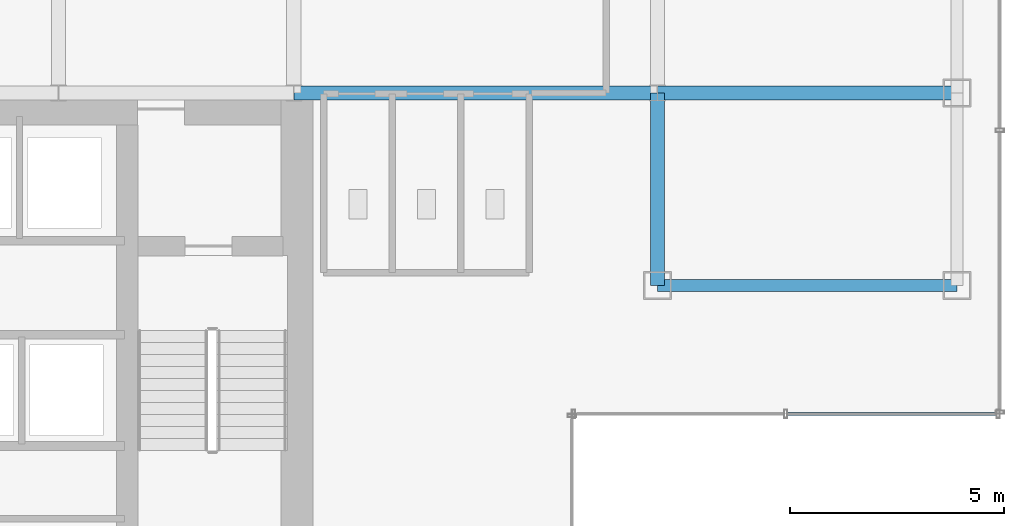
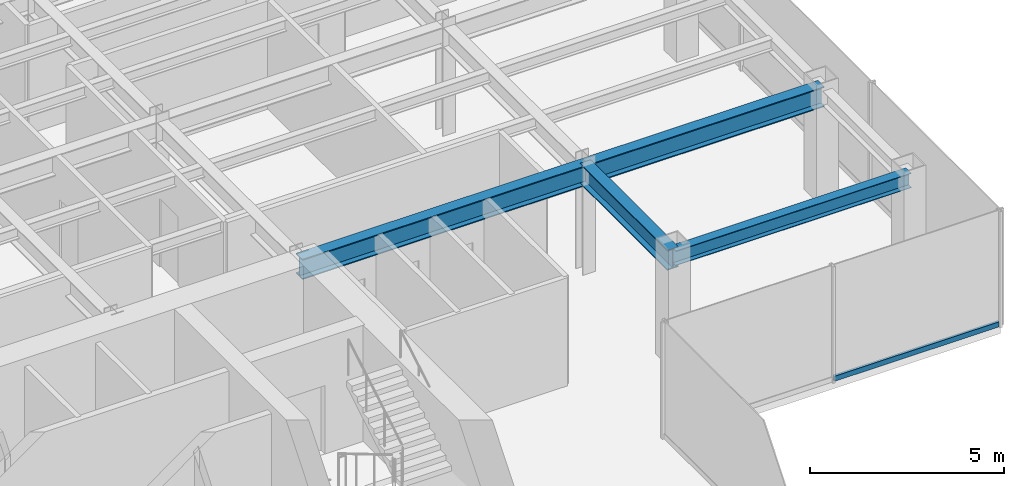
# One storey, part 10 of 25: 4 beams, 1 member, 1 element without a shape of its own.
"""IFC4 building model written with IfcOpenShell, lengths in metres."""

import ifcopenshell
import ifcopenshell.guid

model = None  # the IFC model being written
_history = None  # IfcOwnerHistory: only IFC2X3 demands one
_inside = {}  # id of a spatial element -> (the spatial element, [elements in it])
_under = {}  # id of a project, library or spatial element -> (it, [spatial elements below it])
_declared = {}  # id of a project -> (the project, [libraries it declares])
_typed = {}  # id of a type object -> (the type object, [elements of that type])
_made_of = {}  # id of a material, layer set ... -> (it, [elements and type objects made of it])


def new_model(schema):
    """Start an empty IFC model of exactly this schema.

    Asked for "IFC4X3", IfcOpenShell would pick the latest addendum, in which some entities
    have other attributes; the version numbers below select the first issue.
    IFC2X3 requires an IfcOwnerHistory on every rooted entity: one is made here for all.
    """
    global model, _history
    if schema == "IFC4X3":
        model = ifcopenshell.file(schema_version=(4, 3, 0, 0))
    else:
        model = ifcopenshell.file(schema=schema)
    _inside.clear()
    _under.clear()
    _declared.clear()
    _typed.clear()
    _made_of.clear()
    _history = None
    if model.schema == "IFC2X3":
        org = make("IfcOrganization", Name="unknown")
        user = make(
            "IfcPersonAndOrganization",
            ThePerson=make("IfcPerson", FamilyName="unknown"),
            TheOrganization=org,
        )
        app = make(
            "IfcApplication",
            ApplicationDeveloper=org,
            Version="unknown",
            ApplicationFullName="unknown",
            ApplicationIdentifier="unknown",
        )
        _history = make(
            "IfcOwnerHistory",
            OwningUser=user,
            OwningApplication=app,
            ChangeAction="ADDED",
            CreationDate=0,
        )
    return model


def make(cls, **values):
    """One entity of the class cls with the attributes given. An attribute that is None is left unset."""
    return model.create_entity(
        cls, **{name: value for name, value in values.items() if value is not None}
    )


def rooted(cls, **values):
    """An entity with a GlobalId (a new one), such as an element, a storey or a relation."""
    return make(cls, GlobalId=ifcopenshell.guid.new(), OwnerHistory=_history, **values)


def si_unit(unit_type, name, prefix=None):
    """IfcSIUnit, for example si_unit("LENGTHUNIT", "METRE", prefix="MILLI")."""
    return make("IfcSIUnit", UnitType=unit_type, Prefix=prefix, Name=name)


def derived_unit(unit_type, elements):
    """IfcDerivedUnit: a product of units, each with its exponent."""
    return make(
        "IfcDerivedUnit",
        Elements=[
            make("IfcDerivedUnitElement", Unit=unit, Exponent=power)
            for unit, power in elements
        ],
        UnitType=unit_type,
    )


def assignment(units):
    """IfcUnitAssignment: the units of a project."""
    return None if units is None else make("IfcUnitAssignment", Units=units)


def point(xyz):
    """IfcCartesianPoint."""
    return None if xyz is None else make("IfcCartesianPoint", Coordinates=xyz)


def direction(xyz):
    """IfcDirection."""
    return None if xyz is None else make("IfcDirection", DirectionRatios=xyz)


def frame(location, z_axis=None, x_axis=None):
    """IfcAxis2Placement3D, a coordinate frame: its origin and axes. An axis left out is left unset."""
    return make(
        "IfcAxis2Placement3D",
        Location=point(location),
        Axis=direction(z_axis),
        RefDirection=direction(x_axis),
    )


def frame_2d(location, x_axis=None):
    """IfcAxis2Placement2D, a coordinate frame in the plane: its origin and x axis."""
    return make(
        "IfcAxis2Placement2D", Location=point(location), RefDirection=direction(x_axis)
    )


def origin():
    """The frame at (0, 0, 0) with its axes left unset."""
    return frame((0.0, 0.0, 0.0))


def origin_2d():
    """The frame at (0, 0) in the plane with its x axis left unset."""
    return frame_2d((0.0, 0.0))


def place(relative_to, where):
    """IfcLocalPlacement: puts the frame where relative to a parent placement (None: the world)."""
    return make(
        "IfcLocalPlacement", PlacementRelTo=relative_to, RelativePlacement=where
    )


def context(
    kind, dimensions, precision=None, world=None, true_north=None, identifier=None
):
    """IfcGeometricRepresentationContext, for example the 3D "Model" context."""
    return make(
        "IfcGeometricRepresentationContext",
        ContextIdentifier=identifier,
        ContextType=kind,
        CoordinateSpaceDimension=dimensions,
        Precision=precision,
        WorldCoordinateSystem=world,
        TrueNorth=true_north,
    )


def subcontext(parent, identifier, kind, view, scale=None):
    """IfcGeometricRepresentationSubContext, for example "Body" below "Model"."""
    return make(
        "IfcGeometricRepresentationSubContext",
        ContextIdentifier=identifier,
        ContextType=kind,
        ParentContext=parent,
        TargetScale=scale,
        TargetView=view,
    )


def project(units=None, contexts=None):
    """IfcProject with its units and contexts."""
    return rooted(
        "IfcProject",
        Name="project",
        RepresentationContexts=contexts,
        UnitsInContext=assignment(units),
    )


def spatial(cls, under=None, at=None, **own):
    """A site, building, storey or space (cls), placed at a placement, below another one or the project."""
    s = rooted(cls, ObjectPlacement=at, **own)
    if under is not None:
        _under.setdefault(under.id(), (under, []))[1].append(s)
    return s


def profile(cls, at=None, kind="AREA", **sizes):
    """A parametric profile (cls). Its sizes go by their IFC names, for example OverallWidth=200.0."""
    return make(cls, ProfileType=kind, Position=at, **sizes)


def hollow_rectangle(**sizes):
    """IfcRectangleHollowProfileDef."""
    return profile("IfcRectangleHollowProfileDef", **sizes)


def i_section(**sizes):
    """IfcIShapeProfileDef."""
    return profile("IfcIShapeProfileDef", **sizes)


def extrude(swept, where, along, depth):
    """IfcExtrudedAreaSolid: the profile swept, set in the frame where, extruded along a direction by depth."""
    return make(
        "IfcExtrudedAreaSolid",
        SweptArea=swept,
        Position=where,
        ExtrudedDirection=direction(along),
        Depth=depth,
    )


def shape(context_of_items, identifier, shape_type, items):
    """IfcShapeRepresentation: the items that make up one representation, for example the "Body"."""
    return make(
        "IfcShapeRepresentation",
        ContextOfItems=context_of_items,
        RepresentationIdentifier=identifier,
        RepresentationType=shape_type,
        Items=items,
    )


def source(mapping_origin, context_of_items, identifier, shape_type, items):
    """IfcRepresentationMap: a shape defined once, which mapped items show again and again."""
    return make(
        "IfcRepresentationMap",
        MappingOrigin=mapping_origin,
        MappedRepresentation=shape(context_of_items, identifier, shape_type, items),
    )


def transform(
    local_origin,
    x_axis=None,
    y_axis=None,
    z_axis=None,
    scale=None,
    scale2=None,
    scale3=None,
    uniform=True,
):
    """IfcCartesianTransformationOperator3D, or its non-uniform kind. x_axis, y_axis, z_axis: its Axis1, 2, 3."""
    if uniform:
        return make(
            "IfcCartesianTransformationOperator3D",
            Axis1=direction(x_axis),
            Axis2=direction(y_axis),
            LocalOrigin=point(local_origin),
            Scale=scale,
            Axis3=direction(z_axis),
        )
    return make(
        "IfcCartesianTransformationOperator3DnonUniform",
        Axis1=direction(x_axis),
        Axis2=direction(y_axis),
        LocalOrigin=point(local_origin),
        Scale=scale,
        Axis3=direction(z_axis),
        Scale2=scale2,
        Scale3=scale3,
    )


def mapped(mapping_source, mapping_target):
    """IfcMappedItem: shows the shape of a source again, moved by a transform."""
    return make(
        "IfcMappedItem", MappingSource=mapping_source, MappingTarget=mapping_target
    )


def material(Name=None, Category=None):
    """IfcMaterial."""
    return make("IfcMaterial", Name=Name, Category=Category)


def material_profile(
    of_material, cross_section, Name=None, Category=None, Priority=None
):
    """IfcMaterialProfile: a cross section and its material."""
    return make(
        "IfcMaterialProfile",
        Name=Name,
        Material=of_material,
        Profile=cross_section,
        Priority=Priority,
        Category=Category,
    )


def profile_set(profiles, Name=None, composite=None):
    """IfcMaterialProfileSet."""
    return make(
        "IfcMaterialProfileSet",
        Name=Name,
        MaterialProfiles=profiles,
        CompositeProfile=composite,
    )


def made_of(thing, what):
    """Note that an element or type object is made of a material, layer set ...; save() writes the relation."""
    if what is not None:
        _made_of.setdefault(what.id(), (what, []))[1].append(thing)
    return thing


def type_object(cls, material=None, **own):
    """A type object (cls), such as IfcWallType, which elements share."""
    return made_of(rooted(cls, **own), material)


def element(
    cls,
    number,
    at=None,
    inside=None,
    cuts=None,
    type_object=None,
    material=None,
    context=None,
    identifier="Body",
    shape_type=None,
    held_by="IfcProductDefinitionShape",
    body=None,
    shapes=None,
    **own,
):
    """One element of the class cls, such as IfcWall. Its Tag is "e" and its number.

    at: its placement. inside: the storey or other place that contains it. cuts: it is an
    opening in that element (IfcRelVoidsElement). A single representation is given by context,
    identifier, shape_type and body (its items); several are given by shapes. held_by: the class
    of the entity that holds the representations. save() writes the other relations.
    """
    e = rooted(cls, Tag="e%d" % number, ObjectPlacement=at, **own)
    if body is not None:
        shapes = [shape(context, identifier, shape_type, body)]
    if shapes is not None:
        e.Representation = make(held_by, Representations=shapes)
    if inside is not None:
        _inside.setdefault(inside.id(), (inside, []))[1].append(e)
    if cuts is not None:
        rooted(
            "IfcRelVoidsElement", RelatingBuildingElement=cuts, RelatedOpeningElement=e
        )
    if type_object is not None:
        _typed.setdefault(type_object.id(), (type_object, []))[1].append(e)
    return made_of(e, material)


def aggregate(whole, parts):
    """IfcRelAggregates: a whole, such as a stair, and the parts it consists of."""
    return rooted("IfcRelAggregates", RelatingObject=whole, RelatedObjects=parts)


def save(model, path):
    """Write the relations noted so far, then the file.

    IfcRelAggregates (storeys below a building ...), IfcRelContainedInSpatialStructure (elements
    in a storey), IfcRelDefinesByType, IfcRelAssociatesMaterial and IfcRelDeclares: one each for
    every whole, place, type object, material and project.
    """
    for whole, parts in _under.values():
        aggregate(whole, parts)
    for where, things in _inside.values():
        rooted(
            "IfcRelContainedInSpatialStructure",
            RelatedElements=things,
            RelatingStructure=where,
        )
    for kind, things in _typed.values():
        rooted("IfcRelDefinesByType", RelatedObjects=things, RelatingType=kind)
    for what, things in _made_of.values():
        rooted("IfcRelAssociatesMaterial", RelatedObjects=things, RelatingMaterial=what)
    for by, libraries in _declared.values():
        rooted("IfcRelDeclares", RelatingContext=by, RelatedDefinitions=libraries)
    model.write(path)


model = new_model("IFC4")

# Units and contexts
model_context = context("Model", 3, precision=1e-05, world=origin(), true_north=direction((0.0, 1.0)))
body_context = subcontext(model_context, "Body", "Model", "MODEL_VIEW")
ifc_project = project(units=[si_unit("LENGTHUNIT", "METRE"), si_unit("AREAUNIT", "SQUARE_METRE"), si_unit("VOLUMEUNIT", "CUBIC_METRE"), si_unit("PLANEANGLEUNIT", "RADIAN"), si_unit("MASSUNIT", "GRAM", prefix="KILO"), derived_unit("THERMALTRANSMITTANCEUNIT", [(si_unit("POWERUNIT", "WATT"), 1), (si_unit("LENGTHUNIT", "METRE"), -2), (si_unit("THERMODYNAMICTEMPERATUREUNIT", "KELVIN"), -1)])], contexts=[model_context])

# Site, building, storey
site_placement = place(None, origin())
site = spatial("IfcSite", under=ifc_project, at=site_placement, CompositionType="ELEMENT")
building_placement = place(site_placement, origin())
building = spatial("IfcBuilding", under=site, at=building_placement, Name="Skarnbrae Concourse Arena and Tower", CompositionType="ELEMENT")
storey_placement = place(building_placement, frame((0.0, 0.0, 151.550048828125)))
storey = spatial("IfcBuildingStorey", under=building, at=storey_placement, Name="L38", CompositionType="ELEMENT", Elevation=151.550048828125)

# Beams
ifc_material_1 = material(Name="Steel CSA G40.21 350W", Category="steel")
ifc_material_profile_1 = material_profile(ifc_material_1, i_section(OverallWidth=0.280029296875, OverallDepth=0.462890625, WebThickness=0.0107421875, FlangeThickness=0.017333984375, at=origin_2d()), Name="W460X113")
ifc_profile_set_1 = profile_set([ifc_material_profile_1], Name="Steel CSA G40.21 350W")
beam_type_1 = type_object("IfcBeamType", Name="BM-SPAN-W460X113", PredefinedType="SPANDREL", material=ifc_profile_set_1)
shared_shape_1 = source(origin(), body_context, "Body", "SweptSolid", [
    extrude(i_section(OverallWidth=0.280029296875, OverallDepth=0.462890625, WebThickness=0.0107421875, FlangeThickness=0.017333984375, at=origin_2d()), origin(), (0.0, 0.0, 1.0), 7.0),
])
beam_1_placement = place(storey_placement, frame((42.0, 9.5, 3.16845703125), z_axis=(1.0, 0.0, 0.0), x_axis=(0.0, 1.0, 0.0)))
element("IfcBeam", 1, at=beam_1_placement, inside=storey, type_object=beam_type_1, Name="L38 Perimeter spandrel Y9.5-2", PredefinedType="SPANDREL", context=body_context, shape_type="MappedRepresentation", body=[
    mapped(shared_shape_1, transform((0.0, 0.0, 0.0))),
])
ifc_material_profile_2 = material_profile(ifc_material_1, i_section(OverallWidth=0.3291015625, OverallDepth=0.635009765625, WebThickness=0.017822265625, FlangeThickness=0.031005859375, at=origin_2d()), Name="W610X241")
ifc_profile_set_2 = profile_set([ifc_material_profile_2], Name="Steel CSA G40.21 350W")
beam_type_2 = type_object("IfcBeamType", Name="BM-GIRD-W610X241", PredefinedType="BEAM", material=ifc_profile_set_2)
shared_shape_2 = source(origin(), body_context, "Body", "SweptSolid", [
    extrude(i_section(OverallWidth=0.3291015625, OverallDepth=0.635009765625, WebThickness=0.017822265625, FlangeThickness=0.031005859375, at=origin_2d()), origin(), (0.0, 0.0, 1.0), 8.5),
])
beam_2_placement = place(storey_placement, frame((33.5, 14.0, 3.08251953125), z_axis=(1.0, 0.0, 0.0), x_axis=(0.0, 1.0, 0.0)))
element("IfcBeam", 2, at=beam_2_placement, inside=storey, type_object=beam_type_2, Name="L38 Primary E-W girder Y14.0-6", PredefinedType="BEAM", context=body_context, shape_type="MappedRepresentation", body=[
    mapped(shared_shape_2, transform((0.0, 0.0, 0.0))),
])
shared_shape_3 = source(origin(), body_context, "Body", "SweptSolid", [
    extrude(i_section(OverallWidth=0.3291015625, OverallDepth=0.635009765625, WebThickness=0.017822265625, FlangeThickness=0.031005859375, at=origin_2d()), origin(), (0.0, 0.0, 1.0), 7.0),
])
beam_3_placement = place(storey_placement, frame((42.0, 14.0, 3.08251953125), z_axis=(1.0, 0.0, 0.0), x_axis=(0.0, 1.0, 0.0)))
element("IfcBeam", 3, at=beam_3_placement, inside=storey, type_object=beam_type_2, Name="L38 Primary E-W girder Y14.0-7", PredefinedType="BEAM", context=body_context, shape_type="MappedRepresentation", body=[
    mapped(shared_shape_3, transform((0.0, 0.0, 0.0))),
])
shared_shape_4 = source(origin(), body_context, "Body", "SweptSolid", [
    extrude(i_section(OverallWidth=0.3291015625, OverallDepth=0.635009765625, WebThickness=0.017822265625, FlangeThickness=0.031005859375, at=origin_2d()), origin(), (0.0, 0.0, 1.0), 4.5),
])
beam_4_placement = place(storey_placement, frame((42.0, 9.5, 3.08251953125), z_axis=(0.0, 1.0, 0.0), x_axis=(-1.0, 0.0, 0.0)))
element("IfcBeam", 4, at=beam_4_placement, inside=storey, type_object=beam_type_2, Name="L38 Primary N-S girder X42.0-1", PredefinedType="BEAM", context=body_context, shape_type="MappedRepresentation", body=[
    mapped(shared_shape_4, transform((0.0, 0.0, 0.0))),
])

# Curtain wall, member
ifc_material_2 = material(Name="Bronze anodised aluminium 6063-T6", Category="aluminium")
curtain_wall_type = type_object("IfcCurtainWallType", Name="CW-SYS-04-MIDZONE", PredefinedType="USERDEFINED", material=ifc_material_2)
curtain_wall_placement = place(storey_placement, origin())
curtain_wall = element("IfcCurtainWall", 5, at=curtain_wall_placement, inside=storey, type_object=curtain_wall_type, Name="L38 Unitised curtain wall CW-L38-E03", ObjectType="UNITISED CURTAIN WALL", PredefinedType="USERDEFINED")
ifc_material_profile_3 = material_profile(ifc_material_2, hollow_rectangle(XDim=0.074951171875, YDim=0.159912109375, WallThickness=0.00439453125, at=origin_2d()), Name="ALU-TRAN-75X160")
ifc_profile_set_3 = profile_set([ifc_material_profile_3], Name="Bronze anodised aluminium 6063-T6")
member_type = type_object("IfcMemberType", Name="CWT-CW-04", PredefinedType="USERDEFINED", material=ifc_profile_set_3)
shared_shape_5 = source(origin(), body_context, "Body", "SweptSolid", [
    extrude(hollow_rectangle(XDim=0.074951171875, YDim=0.159912109375, WallThickness=0.00439453125, at=origin_2d()), origin(), (0.0, 0.0, 1.0), 4.887451171875),
])
member_placement = place(storey_placement, frame((45.03759765625, 6.5, 0.079833984375), z_axis=(1.0, 0.0, 0.0), x_axis=(0.0, 1.0, 0.0)))
member = element("IfcMember", 6, at=member_placement, type_object=member_type, Name="CW-L38-E03 Transom 2", ObjectType="TRANSOM", PredefinedType="USERDEFINED", context=body_context, shape_type="MappedRepresentation", body=[
    mapped(shared_shape_5, transform((0.0, 0.0, 0.0))),
])
aggregate(curtain_wall, [member])

save(model, "model.ifc")
